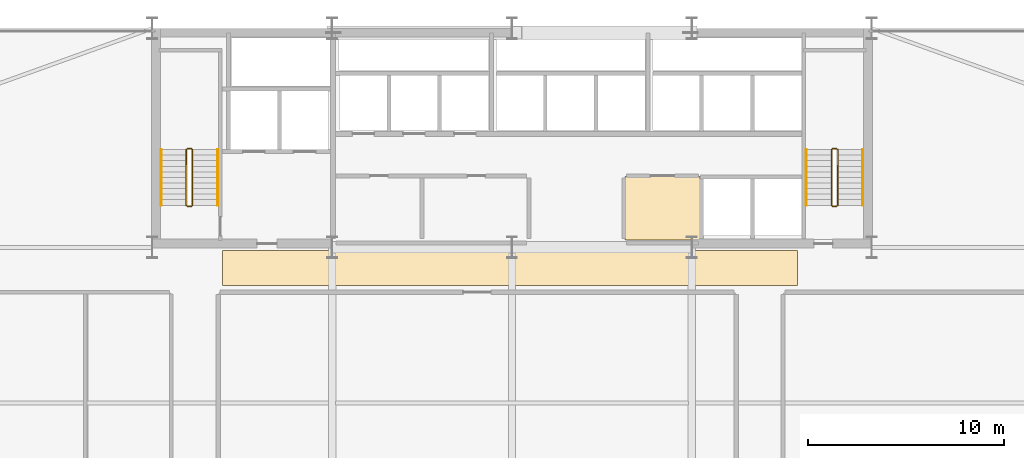
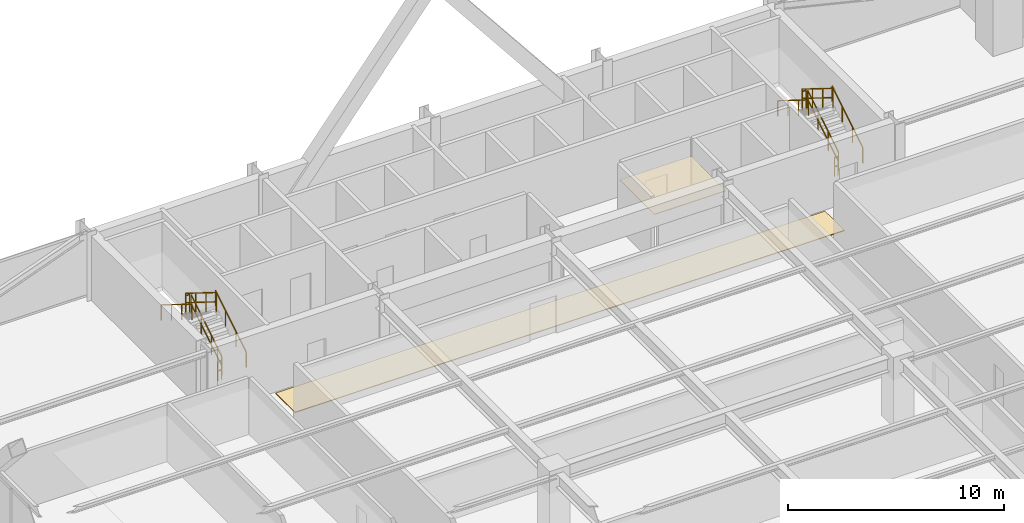
# One storey, part 32 of 32: 12 railings, 2 coverings.
"""IFC4 building model written with IfcOpenShell, lengths in metres."""

from ifc_helpers import new_model, si_unit, direction, frame, origin, origin_2d, place, context, subcontext, project, spatial, polyline, rectangle, outline, extrude, material, layer, layer_set, type_object, element, save


model = new_model("IFC4")

# Units and contexts
model_context = context("Model", 3, precision=1e-05, world=origin(), true_north=direction((0.0, 1.0)))
body_context = subcontext(model_context, "Body", "Model", "MODEL_VIEW")
ifc_project = project(units=[si_unit("LENGTHUNIT", "METRE"), si_unit("AREAUNIT", "SQUARE_METRE"), si_unit("VOLUMEUNIT", "CUBIC_METRE"), si_unit("PLANEANGLEUNIT", "RADIAN"), si_unit("MASSUNIT", "GRAM", prefix="KILO")], contexts=[model_context])

# Site, building, storey
site_placement = place(None, origin())
site = spatial("IfcSite", under=ifc_project, at=site_placement, CompositionType="ELEMENT")
building_placement = place(site_placement, origin())
building = spatial("IfcBuilding", under=site, at=building_placement, Name="Varnel Quay Broadcast Tower", CompositionType="ELEMENT")
storey_placement = place(building_placement, frame((0.0, 0.0, 58.800048828125)))
storey = spatial("IfcBuildingStorey", under=building, at=storey_placement, Name="L13", CompositionType="ELEMENT", Elevation=58.800048828125)

# Coverings
ifc_material_1 = material(Name="Micro-Perforated Acoustic Ceiling Tile")
ifc_layer_1 = layer(ifc_material_1, 0.0400390625, Name="Micro-Perforated Acoustic Ceiling Tile")
ifc_layer_set_1 = layer_set([ifc_layer_1], Name="Micro-Perforated Acoustic Ceiling Tile")
covering_type_1 = type_object("IfcCoveringType", Name="Cov_AcousticCeiling", PredefinedType="CEILING", material=ifc_layer_set_1)
covering_1_placement = place(storey_placement, frame((0.0, 0.0, 2.579833984375)))
element("IfcCovering", 1, at=covering_1_placement, inside=storey, type_object=covering_type_1, Name="L13 Electrical Sub-Distribution Closet Acoustic Ceiling", PredefinedType="CEILING", context=body_context, shape_type="SweptSolid", body=[
    extrude(outline(polyline([(39.784912109375, 35.985107421875), (43.614990234375, 35.985107421875), (43.614990234375, 39.215087890625), (39.784912109375, 39.215087890625), (39.784912109375, 35.985107421875)])), origin(), (0.0, 0.0, 1.0), 0.0400390625),
])
ifc_material_2 = material(Name="Polished Terrazzo & Broadcast Raised Flooring")
ifc_layer_2 = layer(ifc_material_2, 0.0400390625, Name="Polished Terrazzo & Broadcast Raised Flooring")
ifc_layer_set_2 = layer_set([ifc_layer_2], Name="Polished Terrazzo & Broadcast Raised Flooring")
covering_type_2 = type_object("IfcCoveringType", Name="Cov_TerrazzoFloor", PredefinedType="FLOORING", material=ifc_layer_set_2)
covering_2_placement = place(storey_placement, origin())
element("IfcCovering", 2, at=covering_2_placement, inside=storey, type_object=covering_type_2, Name="L13 Corridor Terrazzo Flooring", PredefinedType="FLOORING", context=body_context, shape_type="SweptSolid", body=[
    extrude(outline(polyline([(19.199951171875, 33.64990234375), (48.60009765625, 33.64990234375), (48.60009765625, 35.449951171875), (19.199951171875, 35.449951171875), (19.199951171875, 33.64990234375)])), origin(), (0.0, 0.0, 1.0), 0.0400390625),
])

# Railings
ifc_material_3 = material(Name="Painted Steel Guard and Handrail CSA G40.21 350W", Category="steel")
railing_type_1 = type_object("IfcRailingType", Name="Rail_StairGuard1100", PredefinedType="GUARDRAIL", material=ifc_material_3)
railing_1_placement = place(storey_placement, frame((17.64990234375, 37.75, 0.17724609375)))
element("IfcRailing", 3, at=railing_1_placement, inside=storey, type_object=railing_type_1, Name="L13 ST-01 stair guard 1", PredefinedType="GUARDRAIL", context=body_context, shape_type="SweptSolid", body=[
    extrude(rectangle(XDim=0.048095703125, YDim=0.048095703125, at=origin_2d()), frame((0.0, 0.0, 1.076171875), z_axis=(0.0, 0.849148672731, 0.528153890072), x_axis=(-1.0, 0.0, 0.0)), (0.0, 0.0, 1.0), 3.3564453125),
    extrude(rectangle(XDim=0.048095703125, YDim=0.048095703125, at=origin_2d()), frame((0.0, 0.0, 0.550048828125), z_axis=(0.0, 0.849148672731, 0.528153890072), x_axis=(-1.0, 0.0, 0.0)), (0.0, 0.0, 1.0), 3.3564453125),
    extrude(rectangle(XDim=0.0419921875, YDim=0.0419921875, at=origin_2d()), origin(), (0.0, 0.0, 1.0), 1.052001953125),
    extrude(rectangle(XDim=0.0419921875, YDim=0.0419921875, at=origin_2d()), frame((0.0, 0.949951171875, 0.5908203125)), (0.0, 0.0, 1.0), 1.052001953125),
    extrude(rectangle(XDim=0.0419921875, YDim=0.0419921875, at=origin_2d()), frame((0.0, 1.900146484375, 1.181884765625)), (0.0, 0.0, 1.0), 1.052001953125),
    extrude(rectangle(XDim=0.0419921875, YDim=0.0419921875, at=origin_2d()), frame((0.0, 2.85009765625, 1.772705078125)), (0.0, 0.0, 1.0), 1.052001953125),
])
railing_2_placement = place(storey_placement, frame((17.60009765625, 40.64990234375, 1.949951171875)))
element("IfcRailing", 4, at=railing_2_placement, inside=storey, type_object=railing_type_1, Name="L13 ST-01 stair guard 2", PredefinedType="GUARDRAIL", context=body_context, shape_type="SweptSolid", body=[
    extrude(rectangle(XDim=0.048095703125, YDim=0.048095703125, at=origin_2d()), frame((0.0, 0.0, 1.076171875), z_axis=(-1.0, 0.0, 0.0), x_axis=(0.0, -1.0, 0.0)), (0.0, 0.0, 1.0), 0.2001953125),
    extrude(rectangle(XDim=0.048095703125, YDim=0.048095703125, at=origin_2d()), frame((0.0, 0.0, 0.550048828125), z_axis=(-1.0, 0.0, 0.0), x_axis=(0.0, -1.0, 0.0)), (0.0, 0.0, 1.0), 0.2001953125),
    extrude(rectangle(XDim=0.0419921875, YDim=0.0419921875, at=origin_2d()), origin(), (0.0, 0.0, 1.0), 1.052001953125),
    extrude(rectangle(XDim=0.0419921875, YDim=0.0419921875, at=origin_2d()), frame((-0.2001953125, 0.0, 0.0)), (0.0, 0.0, 1.0), 1.052001953125),
])
railing_3_placement = place(storey_placement, frame((17.35009765625, 40.60009765625, 2.127197265625)))
element("IfcRailing", 5, at=railing_3_placement, inside=storey, type_object=railing_type_1, Name="L13 ST-01 stair guard 3", PredefinedType="GUARDRAIL", context=body_context, shape_type="SweptSolid", body=[
    extrude(rectangle(XDim=0.048095703125, YDim=0.048095703125, at=origin_2d()), frame((0.0, 0.0, 1.076171875), z_axis=(0.0, -0.849148672731, 0.528153890072), x_axis=(1.0, 0.0, 0.0)), (0.0, 0.0, 1.0), 3.3564453125),
    extrude(rectangle(XDim=0.048095703125, YDim=0.048095703125, at=origin_2d()), frame((0.0, 0.0, 0.550048828125), z_axis=(0.0, -0.849148672731, 0.528153890072), x_axis=(1.0, 0.0, 0.0)), (0.0, 0.0, 1.0), 3.3564453125),
    extrude(rectangle(XDim=0.0419921875, YDim=0.0419921875, at=origin_2d()), origin(), (0.0, 0.0, 1.0), 1.052001953125),
    extrude(rectangle(XDim=0.0419921875, YDim=0.0419921875, at=origin_2d()), frame((0.0, -0.949951171875, 0.5908203125)), (0.0, 0.0, 1.0), 1.052001953125),
    extrude(rectangle(XDim=0.0419921875, YDim=0.0419921875, at=origin_2d()), frame((0.0, -1.900146484375, 1.181884765625)), (0.0, 0.0, 1.0), 1.052001953125),
    extrude(rectangle(XDim=0.0419921875, YDim=0.0419921875, at=origin_2d()), frame((0.0, -2.85009765625, 1.772705078125)), (0.0, 0.0, 1.0), 1.052001953125),
])
railing_4_placement = place(storey_placement, frame((17.60009765625, 37.699951171875, 0.0)))
element("IfcRailing", 6, at=railing_4_placement, inside=storey, type_object=railing_type_1, Name="L13 ST-01 stair guard 4", PredefinedType="GUARDRAIL", context=body_context, shape_type="SweptSolid", body=[
    extrude(rectangle(XDim=0.048095703125, YDim=0.048095703125, at=origin_2d()), frame((0.0, 0.0, 1.076171875), z_axis=(-1.0, 0.0, 0.0), x_axis=(0.0, -1.0, 0.0)), (0.0, 0.0, 1.0), 0.2001953125),
    extrude(rectangle(XDim=0.048095703125, YDim=0.048095703125, at=origin_2d()), frame((0.0, 0.0, 0.550048828125), z_axis=(-1.0, 0.0, 0.0), x_axis=(0.0, -1.0, 0.0)), (0.0, 0.0, 1.0), 0.2001953125),
    extrude(rectangle(XDim=0.0419921875, YDim=0.0419921875, at=origin_2d()), origin(), (0.0, 0.0, 1.0), 1.052001953125),
    extrude(rectangle(XDim=0.0419921875, YDim=0.0419921875, at=origin_2d()), frame((-0.2001953125, 0.0, 0.0)), (0.0, 0.0, 1.0), 1.052001953125),
])
railing_5_placement = place(storey_placement, frame((50.64990234375, 37.75, 0.17724609375)))
element("IfcRailing", 7, at=railing_5_placement, inside=storey, type_object=railing_type_1, Name="L13 ST-02 stair guard 1", PredefinedType="GUARDRAIL", context=body_context, shape_type="SweptSolid", body=[
    extrude(rectangle(XDim=0.048095703125, YDim=0.048095703125, at=origin_2d()), frame((0.0, 0.0, 1.076171875), z_axis=(0.0, 0.849148672731, 0.528153890072), x_axis=(-1.0, 0.0, 0.0)), (0.0, 0.0, 1.0), 3.3564453125),
    extrude(rectangle(XDim=0.048095703125, YDim=0.048095703125, at=origin_2d()), frame((0.0, 0.0, 0.550048828125), z_axis=(0.0, 0.849148672731, 0.528153890072), x_axis=(-1.0, 0.0, 0.0)), (0.0, 0.0, 1.0), 3.3564453125),
    extrude(rectangle(XDim=0.0419921875, YDim=0.0419921875, at=origin_2d()), origin(), (0.0, 0.0, 1.0), 1.052001953125),
    extrude(rectangle(XDim=0.0419921875, YDim=0.0419921875, at=origin_2d()), frame((0.0, 0.949951171875, 0.5908203125)), (0.0, 0.0, 1.0), 1.052001953125),
    extrude(rectangle(XDim=0.0419921875, YDim=0.0419921875, at=origin_2d()), frame((0.0, 1.900146484375, 1.181884765625)), (0.0, 0.0, 1.0), 1.052001953125),
    extrude(rectangle(XDim=0.0419921875, YDim=0.0419921875, at=origin_2d()), frame((0.0, 2.85009765625, 1.772705078125)), (0.0, 0.0, 1.0), 1.052001953125),
])
railing_6_placement = place(storey_placement, frame((50.60009765625, 40.64990234375, 1.949951171875)))
element("IfcRailing", 8, at=railing_6_placement, inside=storey, type_object=railing_type_1, Name="L13 ST-02 stair guard 2", PredefinedType="GUARDRAIL", context=body_context, shape_type="SweptSolid", body=[
    extrude(rectangle(XDim=0.048095703125, YDim=0.048095703125, at=origin_2d()), frame((0.0, 0.0, 1.076171875), z_axis=(-1.0, 0.0, 0.0), x_axis=(0.0, -1.0, 0.0)), (0.0, 0.0, 1.0), 0.2001953125),
    extrude(rectangle(XDim=0.048095703125, YDim=0.048095703125, at=origin_2d()), frame((0.0, 0.0, 0.550048828125), z_axis=(-1.0, 0.0, 0.0), x_axis=(0.0, -1.0, 0.0)), (0.0, 0.0, 1.0), 0.2001953125),
    extrude(rectangle(XDim=0.0419921875, YDim=0.0419921875, at=origin_2d()), origin(), (0.0, 0.0, 1.0), 1.052001953125),
    extrude(rectangle(XDim=0.0419921875, YDim=0.0419921875, at=origin_2d()), frame((-0.2001953125, 0.0, 0.0)), (0.0, 0.0, 1.0), 1.052001953125),
])
railing_7_placement = place(storey_placement, frame((50.35009765625, 40.60009765625, 2.127197265625)))
element("IfcRailing", 9, at=railing_7_placement, inside=storey, type_object=railing_type_1, Name="L13 ST-02 stair guard 3", PredefinedType="GUARDRAIL", context=body_context, shape_type="SweptSolid", body=[
    extrude(rectangle(XDim=0.048095703125, YDim=0.048095703125, at=origin_2d()), frame((0.0, 0.0, 1.076171875), z_axis=(0.0, -0.849148672731, 0.528153890072), x_axis=(1.0, 0.0, 0.0)), (0.0, 0.0, 1.0), 3.3564453125),
    extrude(rectangle(XDim=0.048095703125, YDim=0.048095703125, at=origin_2d()), frame((0.0, 0.0, 0.550048828125), z_axis=(0.0, -0.849148672731, 0.528153890072), x_axis=(1.0, 0.0, 0.0)), (0.0, 0.0, 1.0), 3.3564453125),
    extrude(rectangle(XDim=0.0419921875, YDim=0.0419921875, at=origin_2d()), origin(), (0.0, 0.0, 1.0), 1.052001953125),
    extrude(rectangle(XDim=0.0419921875, YDim=0.0419921875, at=origin_2d()), frame((0.0, -0.949951171875, 0.5908203125)), (0.0, 0.0, 1.0), 1.052001953125),
    extrude(rectangle(XDim=0.0419921875, YDim=0.0419921875, at=origin_2d()), frame((0.0, -1.900146484375, 1.181884765625)), (0.0, 0.0, 1.0), 1.052001953125),
    extrude(rectangle(XDim=0.0419921875, YDim=0.0419921875, at=origin_2d()), frame((0.0, -2.85009765625, 1.772705078125)), (0.0, 0.0, 1.0), 1.052001953125),
])
railing_8_placement = place(storey_placement, frame((50.60009765625, 37.699951171875, 0.0)))
element("IfcRailing", 10, at=railing_8_placement, inside=storey, type_object=railing_type_1, Name="L13 ST-02 stair guard 4", PredefinedType="GUARDRAIL", context=body_context, shape_type="SweptSolid", body=[
    extrude(rectangle(XDim=0.048095703125, YDim=0.048095703125, at=origin_2d()), frame((0.0, 0.0, 1.076171875), z_axis=(-1.0, 0.0, 0.0), x_axis=(0.0, -1.0, 0.0)), (0.0, 0.0, 1.0), 0.2001953125),
    extrude(rectangle(XDim=0.048095703125, YDim=0.048095703125, at=origin_2d()), frame((0.0, 0.0, 0.550048828125), z_axis=(-1.0, 0.0, 0.0), x_axis=(0.0, -1.0, 0.0)), (0.0, 0.0, 1.0), 0.2001953125),
    extrude(rectangle(XDim=0.0419921875, YDim=0.0419921875, at=origin_2d()), origin(), (0.0, 0.0, 1.0), 1.052001953125),
    extrude(rectangle(XDim=0.0419921875, YDim=0.0419921875, at=origin_2d()), frame((-0.2001953125, 0.0, 0.0)), (0.0, 0.0, 1.0), 1.052001953125),
])
railing_type_2 = type_object("IfcRailingType", Name="Rail_StairHandrail900", PredefinedType="HANDRAIL", material=ifc_material_3)
railing_9_placement = place(storey_placement, frame((18.949951171875, 37.75, 0.17724609375)))
element("IfcRailing", 11, at=railing_9_placement, inside=storey, type_object=railing_type_2, Name="L13 ST-01 stair handrail 1", PredefinedType="HANDRAIL", context=body_context, shape_type="SweptSolid", body=[
    extrude(rectangle(XDim=0.048095703125, YDim=0.048095703125, at=origin_2d()), frame((0.0, 0.0, 0.8759765625), z_axis=(0.0, 0.849148672731, 0.528153890072), x_axis=(-1.0, 0.0, 0.0)), (0.0, 0.0, 1.0), 3.3564453125),
    extrude(rectangle(XDim=0.0419921875, YDim=0.0419921875, at=origin_2d()), origin(), (0.0, 0.0, 1.0), 0.851806640625),
    extrude(rectangle(XDim=0.0419921875, YDim=0.0419921875, at=origin_2d()), frame((0.0, 0.949951171875, 0.5908203125)), (0.0, 0.0, 1.0), 0.851806640625),
    extrude(rectangle(XDim=0.0419921875, YDim=0.0419921875, at=origin_2d()), frame((0.0, 1.900146484375, 1.181884765625)), (0.0, 0.0, 1.0), 0.851806640625),
    extrude(rectangle(XDim=0.0419921875, YDim=0.0419921875, at=origin_2d()), frame((0.0, 2.85009765625, 1.772705078125)), (0.0, 0.0, 1.0), 0.851806640625),
])
railing_10_placement = place(storey_placement, frame((16.050048828125, 40.60009765625, 2.127197265625)))
element("IfcRailing", 12, at=railing_10_placement, inside=storey, type_object=railing_type_2, Name="L13 ST-01 stair handrail 2", PredefinedType="HANDRAIL", context=body_context, shape_type="SweptSolid", body=[
    extrude(rectangle(XDim=0.048095703125, YDim=0.048095703125, at=origin_2d()), frame((0.0, 0.0, 0.8759765625), z_axis=(0.0, -0.849148672731, 0.528153890072), x_axis=(1.0, 0.0, 0.0)), (0.0, 0.0, 1.0), 3.3564453125),
    extrude(rectangle(XDim=0.0419921875, YDim=0.0419921875, at=origin_2d()), origin(), (0.0, 0.0, 1.0), 0.851806640625),
    extrude(rectangle(XDim=0.0419921875, YDim=0.0419921875, at=origin_2d()), frame((0.0, -0.949951171875, 0.5908203125)), (0.0, 0.0, 1.0), 0.851806640625),
    extrude(rectangle(XDim=0.0419921875, YDim=0.0419921875, at=origin_2d()), frame((0.0, -1.900146484375, 1.181884765625)), (0.0, 0.0, 1.0), 0.851806640625),
    extrude(rectangle(XDim=0.0419921875, YDim=0.0419921875, at=origin_2d()), frame((0.0, -2.85009765625, 1.772705078125)), (0.0, 0.0, 1.0), 0.851806640625),
])
railing_11_placement = place(storey_placement, frame((51.949951171875, 37.75, 0.17724609375)))
element("IfcRailing", 13, at=railing_11_placement, inside=storey, type_object=railing_type_2, Name="L13 ST-02 stair handrail 1", PredefinedType="HANDRAIL", context=body_context, shape_type="SweptSolid", body=[
    extrude(rectangle(XDim=0.048095703125, YDim=0.048095703125, at=origin_2d()), frame((0.0, 0.0, 0.8759765625), z_axis=(0.0, 0.849148672731, 0.528153890072), x_axis=(-1.0, 0.0, 0.0)), (0.0, 0.0, 1.0), 3.3564453125),
    extrude(rectangle(XDim=0.0419921875, YDim=0.0419921875, at=origin_2d()), origin(), (0.0, 0.0, 1.0), 0.851806640625),
    extrude(rectangle(XDim=0.0419921875, YDim=0.0419921875, at=origin_2d()), frame((0.0, 0.949951171875, 0.5908203125)), (0.0, 0.0, 1.0), 0.851806640625),
    extrude(rectangle(XDim=0.0419921875, YDim=0.0419921875, at=origin_2d()), frame((0.0, 1.900146484375, 1.181884765625)), (0.0, 0.0, 1.0), 0.851806640625),
    extrude(rectangle(XDim=0.0419921875, YDim=0.0419921875, at=origin_2d()), frame((0.0, 2.85009765625, 1.772705078125)), (0.0, 0.0, 1.0), 0.851806640625),
])
railing_12_placement = place(storey_placement, frame((49.050048828125, 40.60009765625, 2.127197265625)))
element("IfcRailing", 14, at=railing_12_placement, inside=storey, type_object=railing_type_2, Name="L13 ST-02 stair handrail 2", PredefinedType="HANDRAIL", context=body_context, shape_type="SweptSolid", body=[
    extrude(rectangle(XDim=0.048095703125, YDim=0.048095703125, at=origin_2d()), frame((0.0, 0.0, 0.8759765625), z_axis=(0.0, -0.849148672731, 0.528153890072), x_axis=(1.0, 0.0, 0.0)), (0.0, 0.0, 1.0), 3.3564453125),
    extrude(rectangle(XDim=0.0419921875, YDim=0.0419921875, at=origin_2d()), origin(), (0.0, 0.0, 1.0), 0.851806640625),
    extrude(rectangle(XDim=0.0419921875, YDim=0.0419921875, at=origin_2d()), frame((0.0, -0.949951171875, 0.5908203125)), (0.0, 0.0, 1.0), 0.851806640625),
    extrude(rectangle(XDim=0.0419921875, YDim=0.0419921875, at=origin_2d()), frame((0.0, -1.900146484375, 1.181884765625)), (0.0, 0.0, 1.0), 0.851806640625),
    extrude(rectangle(XDim=0.0419921875, YDim=0.0419921875, at=origin_2d()), frame((0.0, -2.85009765625, 1.772705078125)), (0.0, 0.0, 1.0), 0.851806640625),
])

save(model, "model.ifc")
